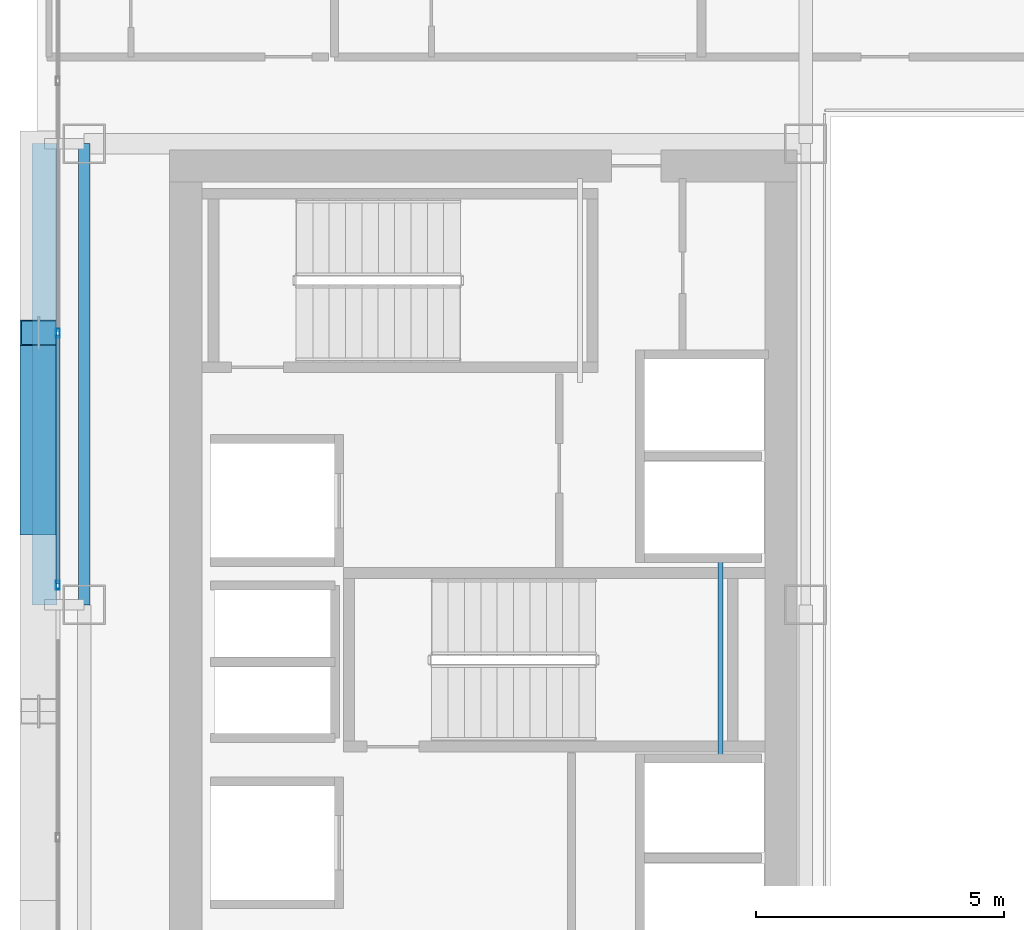
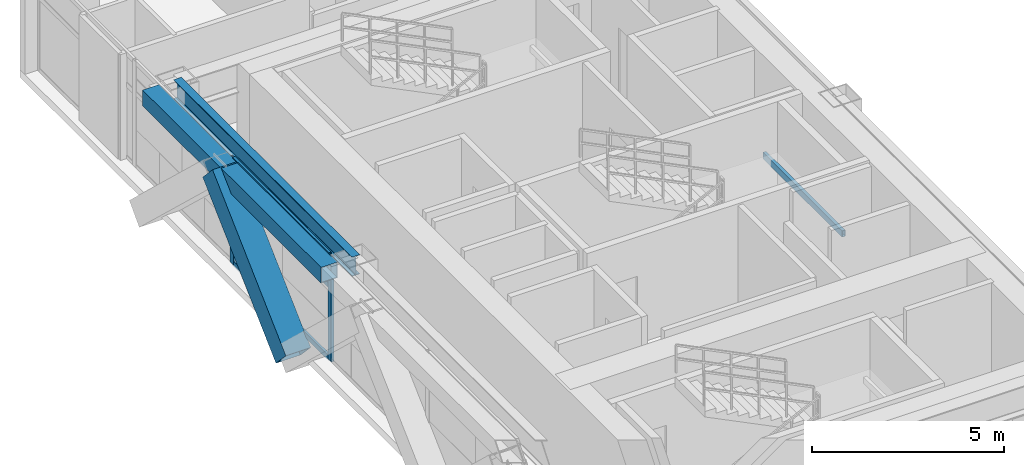
# One storey, part 8 of 34: 6 members, 3 beams, 1 element without a shape of its own.
"""IFC4 building model written with IfcOpenShell, lengths in metres."""

import ifcopenshell
import ifcopenshell.guid

model = None  # the IFC model being written
_history = None  # IfcOwnerHistory: only IFC2X3 demands one
_inside = {}  # id of a spatial element -> (the spatial element, [elements in it])
_under = {}  # id of a project, library or spatial element -> (it, [spatial elements below it])
_declared = {}  # id of a project -> (the project, [libraries it declares])
_typed = {}  # id of a type object -> (the type object, [elements of that type])
_made_of = {}  # id of a material, layer set ... -> (it, [elements and type objects made of it])


def new_model(schema):
    """Start an empty IFC model of exactly this schema.

    Asked for "IFC4X3", IfcOpenShell would pick the latest addendum, in which some entities
    have other attributes; the version numbers below select the first issue.
    IFC2X3 requires an IfcOwnerHistory on every rooted entity: one is made here for all.
    """
    global model, _history
    if schema == "IFC4X3":
        model = ifcopenshell.file(schema_version=(4, 3, 0, 0))
    else:
        model = ifcopenshell.file(schema=schema)
    _inside.clear()
    _under.clear()
    _declared.clear()
    _typed.clear()
    _made_of.clear()
    _history = None
    if model.schema == "IFC2X3":
        org = make("IfcOrganization", Name="unknown")
        user = make(
            "IfcPersonAndOrganization",
            ThePerson=make("IfcPerson", FamilyName="unknown"),
            TheOrganization=org,
        )
        app = make(
            "IfcApplication",
            ApplicationDeveloper=org,
            Version="unknown",
            ApplicationFullName="unknown",
            ApplicationIdentifier="unknown",
        )
        _history = make(
            "IfcOwnerHistory",
            OwningUser=user,
            OwningApplication=app,
            ChangeAction="ADDED",
            CreationDate=0,
        )
    return model


def make(cls, **values):
    """One entity of the class cls with the attributes given. An attribute that is None is left unset."""
    return model.create_entity(
        cls, **{name: value for name, value in values.items() if value is not None}
    )


def rooted(cls, **values):
    """An entity with a GlobalId (a new one), such as an element, a storey or a relation."""
    return make(cls, GlobalId=ifcopenshell.guid.new(), OwnerHistory=_history, **values)


def si_unit(unit_type, name, prefix=None):
    """IfcSIUnit, for example si_unit("LENGTHUNIT", "METRE", prefix="MILLI")."""
    return make("IfcSIUnit", UnitType=unit_type, Prefix=prefix, Name=name)


def assignment(units):
    """IfcUnitAssignment: the units of a project."""
    return None if units is None else make("IfcUnitAssignment", Units=units)


def point(xyz):
    """IfcCartesianPoint."""
    return None if xyz is None else make("IfcCartesianPoint", Coordinates=xyz)


def direction(xyz):
    """IfcDirection."""
    return None if xyz is None else make("IfcDirection", DirectionRatios=xyz)


def frame(location, z_axis=None, x_axis=None):
    """IfcAxis2Placement3D, a coordinate frame: its origin and axes. An axis left out is left unset."""
    return make(
        "IfcAxis2Placement3D",
        Location=point(location),
        Axis=direction(z_axis),
        RefDirection=direction(x_axis),
    )


def frame_2d(location, x_axis=None):
    """IfcAxis2Placement2D, a coordinate frame in the plane: its origin and x axis."""
    return make(
        "IfcAxis2Placement2D", Location=point(location), RefDirection=direction(x_axis)
    )


def origin():
    """The frame at (0, 0, 0) with its axes left unset."""
    return frame((0.0, 0.0, 0.0))


def origin_2d():
    """The frame at (0, 0) in the plane with its x axis left unset."""
    return frame_2d((0.0, 0.0))


def place(relative_to, where):
    """IfcLocalPlacement: puts the frame where relative to a parent placement (None: the world)."""
    return make(
        "IfcLocalPlacement", PlacementRelTo=relative_to, RelativePlacement=where
    )


def context(
    kind, dimensions, precision=None, world=None, true_north=None, identifier=None
):
    """IfcGeometricRepresentationContext, for example the 3D "Model" context."""
    return make(
        "IfcGeometricRepresentationContext",
        ContextIdentifier=identifier,
        ContextType=kind,
        CoordinateSpaceDimension=dimensions,
        Precision=precision,
        WorldCoordinateSystem=world,
        TrueNorth=true_north,
    )


def subcontext(parent, identifier, kind, view, scale=None):
    """IfcGeometricRepresentationSubContext, for example "Body" below "Model"."""
    return make(
        "IfcGeometricRepresentationSubContext",
        ContextIdentifier=identifier,
        ContextType=kind,
        ParentContext=parent,
        TargetScale=scale,
        TargetView=view,
    )


def project(units=None, contexts=None):
    """IfcProject with its units and contexts."""
    return rooted(
        "IfcProject",
        Name="project",
        RepresentationContexts=contexts,
        UnitsInContext=assignment(units),
    )


def spatial(cls, under=None, at=None, **own):
    """A site, building, storey or space (cls), placed at a placement, below another one or the project."""
    s = rooted(cls, ObjectPlacement=at, **own)
    if under is not None:
        _under.setdefault(under.id(), (under, []))[1].append(s)
    return s


def profile(cls, at=None, kind="AREA", **sizes):
    """A parametric profile (cls). Its sizes go by their IFC names, for example OverallWidth=200.0."""
    return make(cls, ProfileType=kind, Position=at, **sizes)


def hollow_rectangle(**sizes):
    """IfcRectangleHollowProfileDef."""
    return profile("IfcRectangleHollowProfileDef", **sizes)


def i_section(**sizes):
    """IfcIShapeProfileDef."""
    return profile("IfcIShapeProfileDef", **sizes)


def extrude(swept, where, along, depth):
    """IfcExtrudedAreaSolid: the profile swept, set in the frame where, extruded along a direction by depth."""
    return make(
        "IfcExtrudedAreaSolid",
        SweptArea=swept,
        Position=where,
        ExtrudedDirection=direction(along),
        Depth=depth,
    )


def shape(context_of_items, identifier, shape_type, items):
    """IfcShapeRepresentation: the items that make up one representation, for example the "Body"."""
    return make(
        "IfcShapeRepresentation",
        ContextOfItems=context_of_items,
        RepresentationIdentifier=identifier,
        RepresentationType=shape_type,
        Items=items,
    )


def source(mapping_origin, context_of_items, identifier, shape_type, items):
    """IfcRepresentationMap: a shape defined once, which mapped items show again and again."""
    return make(
        "IfcRepresentationMap",
        MappingOrigin=mapping_origin,
        MappedRepresentation=shape(context_of_items, identifier, shape_type, items),
    )


def transform(
    local_origin,
    x_axis=None,
    y_axis=None,
    z_axis=None,
    scale=None,
    scale2=None,
    scale3=None,
    uniform=True,
):
    """IfcCartesianTransformationOperator3D, or its non-uniform kind. x_axis, y_axis, z_axis: its Axis1, 2, 3."""
    if uniform:
        return make(
            "IfcCartesianTransformationOperator3D",
            Axis1=direction(x_axis),
            Axis2=direction(y_axis),
            LocalOrigin=point(local_origin),
            Scale=scale,
            Axis3=direction(z_axis),
        )
    return make(
        "IfcCartesianTransformationOperator3DnonUniform",
        Axis1=direction(x_axis),
        Axis2=direction(y_axis),
        LocalOrigin=point(local_origin),
        Scale=scale,
        Axis3=direction(z_axis),
        Scale2=scale2,
        Scale3=scale3,
    )


def mapped(mapping_source, mapping_target):
    """IfcMappedItem: shows the shape of a source again, moved by a transform."""
    return make(
        "IfcMappedItem", MappingSource=mapping_source, MappingTarget=mapping_target
    )


def material(Name=None, Category=None):
    """IfcMaterial."""
    return make("IfcMaterial", Name=Name, Category=Category)


def layer(
    of_material, thickness, ventilated=None, Name=None, Category=None, Priority=None
):
    """IfcMaterialLayer: one layer of a wall or slab, of a material (None: an air gap)."""
    return make(
        "IfcMaterialLayer",
        Material=of_material,
        LayerThickness=thickness,
        IsVentilated=ventilated,
        Name=Name,
        Category=Category,
        Priority=Priority,
    )


def layer_set(layers, Name=None):
    """IfcMaterialLayerSet."""
    return make("IfcMaterialLayerSet", MaterialLayers=layers, LayerSetName=Name)


def material_profile(
    of_material, cross_section, Name=None, Category=None, Priority=None
):
    """IfcMaterialProfile: a cross section and its material."""
    return make(
        "IfcMaterialProfile",
        Name=Name,
        Material=of_material,
        Profile=cross_section,
        Priority=Priority,
        Category=Category,
    )


def profile_set(profiles, Name=None, composite=None):
    """IfcMaterialProfileSet."""
    return make(
        "IfcMaterialProfileSet",
        Name=Name,
        MaterialProfiles=profiles,
        CompositeProfile=composite,
    )


def made_of(thing, what):
    """Note that an element or type object is made of a material, layer set ...; save() writes the relation."""
    if what is not None:
        _made_of.setdefault(what.id(), (what, []))[1].append(thing)
    return thing


def type_object(cls, material=None, **own):
    """A type object (cls), such as IfcWallType, which elements share."""
    return made_of(rooted(cls, **own), material)


def element(
    cls,
    number,
    at=None,
    inside=None,
    cuts=None,
    type_object=None,
    material=None,
    context=None,
    identifier="Body",
    shape_type=None,
    held_by="IfcProductDefinitionShape",
    body=None,
    shapes=None,
    **own,
):
    """One element of the class cls, such as IfcWall. Its Tag is "e" and its number.

    at: its placement. inside: the storey or other place that contains it. cuts: it is an
    opening in that element (IfcRelVoidsElement). A single representation is given by context,
    identifier, shape_type and body (its items); several are given by shapes. held_by: the class
    of the entity that holds the representations. save() writes the other relations.
    """
    e = rooted(cls, Tag="e%d" % number, ObjectPlacement=at, **own)
    if body is not None:
        shapes = [shape(context, identifier, shape_type, body)]
    if shapes is not None:
        e.Representation = make(held_by, Representations=shapes)
    if inside is not None:
        _inside.setdefault(inside.id(), (inside, []))[1].append(e)
    if cuts is not None:
        rooted(
            "IfcRelVoidsElement", RelatingBuildingElement=cuts, RelatedOpeningElement=e
        )
    if type_object is not None:
        _typed.setdefault(type_object.id(), (type_object, []))[1].append(e)
    return made_of(e, material)


def aggregate(whole, parts):
    """IfcRelAggregates: a whole, such as a stair, and the parts it consists of."""
    return rooted("IfcRelAggregates", RelatingObject=whole, RelatedObjects=parts)


def save(model, path):
    """Write the relations noted so far, then the file.

    IfcRelAggregates (storeys below a building ...), IfcRelContainedInSpatialStructure (elements
    in a storey), IfcRelDefinesByType, IfcRelAssociatesMaterial and IfcRelDeclares: one each for
    every whole, place, type object, material and project.
    """
    for whole, parts in _under.values():
        aggregate(whole, parts)
    for where, things in _inside.values():
        rooted(
            "IfcRelContainedInSpatialStructure",
            RelatedElements=things,
            RelatingStructure=where,
        )
    for kind, things in _typed.values():
        rooted("IfcRelDefinesByType", RelatedObjects=things, RelatingType=kind)
    for what, things in _made_of.values():
        rooted("IfcRelAssociatesMaterial", RelatedObjects=things, RelatingMaterial=what)
    for by, libraries in _declared.values():
        rooted("IfcRelDeclares", RelatingContext=by, RelatedDefinitions=libraries)
    model.write(path)


model = new_model("IFC4")

# Units and contexts
model_context = context("Model", 3, precision=1e-05, world=origin(), true_north=direction((0.0, 1.0)))
body_context = subcontext(model_context, "Body", "Model", "MODEL_VIEW")
ifc_project = project(units=[si_unit("LENGTHUNIT", "METRE"), si_unit("AREAUNIT", "SQUARE_METRE"), si_unit("VOLUMEUNIT", "CUBIC_METRE"), si_unit("PLANEANGLEUNIT", "RADIAN"), si_unit("MASSUNIT", "GRAM", prefix="KILO")], contexts=[model_context])

# Site, building, storey
site_placement = place(None, origin())
site = spatial("IfcSite", under=ifc_project, at=site_placement, CompositionType="ELEMENT")
building_placement = place(site_placement, origin())
building = spatial("IfcBuilding", under=site, at=building_placement, Name="Ocotamira Hotel", CompositionType="ELEMENT")
storey_placement = place(building_placement, frame((0.0, 0.0, 111.60009765625)))
storey = spatial("IfcBuildingStorey", under=building, at=storey_placement, Name="L27", CompositionType="ELEMENT", Elevation=111.60009765625)

# Beams
ifc_material_1 = material(Name="Steel ASTM A500 Grade C", Category="steel")
ifc_material_profile_1 = material_profile(ifc_material_1, hollow_rectangle(XDim=0.10009765625, YDim=0.199951171875, WallThickness=0.008056640625, at=origin_2d()), Name="HSS200X100X8")
ifc_profile_set_1 = profile_set([ifc_material_profile_1], Name="Steel ASTM A500 Grade C")
beam_type_1 = type_object("IfcBeamType", Name="BM-STLDG-HSS200", PredefinedType="BEAM", material=ifc_profile_set_1)
shared_shape_1 = source(origin(), body_context, "Body", "SweptSolid", [
    extrude(hollow_rectangle(XDim=0.10009765625, YDim=0.199951171875, WallThickness=0.008056640625, at=origin_2d()), origin(), (0.0, 0.0, 1.0), 4.1201171875),
])
beam_1_placement = place(storey_placement, frame((21.780029296875, 24.97998046875, 1.5), z_axis=(0.0, 1.0, 0.0), x_axis=(-1.0, 0.0, 0.0)))
element("IfcBeam", 1, at=beam_1_placement, inside=storey, type_object=beam_type_1, Name="L27 Stair ST-3 Landing Bearer 1", PredefinedType="BEAM", context=body_context, shape_type="MappedRepresentation", body=[
    mapped(shared_shape_1, transform((0.0, 0.0, 0.0), scale=1.0)),
])
ifc_material_2 = material(Name="Steel ASTM A992 Grade 50", Category="steel")
ifc_material_profile_2 = material_profile(ifc_material_2, i_section(OverallWidth=0.22998046875, OverallDepth=0.616943359375, WebThickness=0.01318359375, FlangeThickness=0.022216796875, FilletRadius=0.012939453125, at=origin_2d()), Name="W24X94")
ifc_profile_set_2 = profile_set([ifc_material_profile_2], Name="Steel ASTM A992 Grade 50")
beam_type_2 = type_object("IfcBeamType", Name="BM-PRIM-W24X94", PredefinedType="BEAM", material=ifc_profile_set_2)
shared_shape_2 = source(origin(), body_context, "Body", "SweptSolid", [
    extrude(i_section(OverallWidth=0.22998046875, OverallDepth=0.616943359375, WebThickness=0.01318359375, FlangeThickness=0.022216796875, FilletRadius=0.012939453125, at=origin_2d()), origin(), (0.0, 0.0, 1.0), 9.300048828125),
])
beam_2_placement = place(storey_placement, frame((8.949951171875, 28.14990234375, 3.051513671875), z_axis=(0.0, 1.0, 0.0), x_axis=(-1.0, 0.0, 0.0)))
element("IfcBeam", 2, at=beam_2_placement, inside=storey, type_object=beam_type_2, Name="L27 Beam X8.95 Y28.15-37.45", PredefinedType="BEAM", context=body_context, shape_type="MappedRepresentation", body=[
    mapped(shared_shape_2, transform((0.0, 0.0, 0.0), scale=1.0)),
])
ifc_material_profile_3 = material_profile(ifc_material_1, hollow_rectangle(XDim=0.5, YDim=0.5, WallThickness=0.02001953125, at=origin_2d()), Name="HSS500X500X20")
ifc_profile_set_3 = profile_set([ifc_material_profile_3], Name="Steel ASTM A500 Grade C")
beam_type_3 = type_object("IfcBeamType", Name="BM-SPAN-HSS500", PredefinedType="USERDEFINED", material=ifc_profile_set_3)
shared_shape_3 = source(origin(), body_context, "Body", "SweptSolid", [
    extrude(hollow_rectangle(XDim=0.5, YDim=0.5, WallThickness=0.02001953125, at=origin_2d()), origin(), (0.0, 0.0, 1.0), 9.300048828125),
])
beam_3_placement = place(storey_placement, frame((8.14990234375, 28.14990234375, 3.10986328125), z_axis=(0.0, 1.0, 0.0), x_axis=(-1.0, 0.0, 0.0)))
element("IfcBeam", 3, at=beam_3_placement, inside=storey, type_object=beam_type_3, Name="L27 Edge Spandrel W Y28.15-37.45", ObjectType="SPANDREL", PredefinedType="USERDEFINED", context=body_context, shape_type="MappedRepresentation", body=[
    mapped(shared_shape_3, transform((0.0, 0.0, 0.0), scale=1.0)),
])

# Member
ifc_material_3 = material(Name="Pale-metal coated steel ASTM A913 Grade 65", Category="steel")
ifc_material_profile_4 = material_profile(ifc_material_3, hollow_rectangle(XDim=0.75, YDim=0.75, WallThickness=0.028076171875, at=origin_2d()), Name="BOX750X750X28")
ifc_profile_set_4 = profile_set([ifc_material_profile_4], Name="Pale-metal coated steel ASTM A913 Grade 65")
member_type_1 = type_object("IfcMemberType", Name="MEM-EXO-BOX750", PredefinedType="BRACE", material=ifc_profile_set_4)
shared_shape_4 = source(origin(), body_context, "Body", "SweptSolid", [
    extrude(hollow_rectangle(XDim=0.75, YDim=0.75, WallThickness=0.028076171875, at=origin_2d()), origin(), (0.0, 0.0, 1.0), 5.24658203125),
])
member_1_placement = place(storey_placement, frame((8.030029296875, 29.816650390625, -0.489990234375), z_axis=(0.0, 0.72746596067, 0.686143772154), x_axis=(-1.0, 0.0, 0.0)))
element("IfcMember", 4, at=member_1_placement, inside=storey, type_object=member_type_1, Name="L27 Exoskeleton Diagrid W2.1", PredefinedType="BRACE", context=body_context, shape_type="MappedRepresentation", body=[
    mapped(shared_shape_4, transform((0.0, 0.0, 0.0), scale=1.0)),
])

# Curtain wall, members
ifc_material_4 = material(Name="Anodised pale-metal aluminium and solar glass", Category="aluminium")
ifc_layer = layer(ifc_material_4, 0.179931640625)
ifc_layer_set = layer_set([ifc_layer], Name="Anodised pale-metal aluminium and solar glass")
curtain_wall_type = type_object("IfcCurtainWallType", Name="CW-SYS3-Z2", PredefinedType="NOTDEFINED", material=ifc_layer_set)
curtain_wall_placement = place(storey_placement, origin())
curtain_wall = element("IfcCurtainWall", 5, at=curtain_wall_placement, inside=storey, type_object=curtain_wall_type, Name="L27 Curtain Wall CW-3 CW-L27-W", PredefinedType="NOTDEFINED")
ifc_material_5 = material(Name="Anodised pale-metal aluminium 6063-T6", Category="aluminium")
ifc_material_profile_5 = material_profile(ifc_material_5, hollow_rectangle(XDim=0.074951171875, YDim=0.14990234375, WallThickness=0.006103515625, at=origin_2d()), Name="HSS150X75X6")
ifc_profile_set_5 = profile_set([ifc_material_profile_5], Name="Anodised pale-metal aluminium 6063-T6")
member_type_2 = type_object("IfcMemberType", Name="CWT-150X75", PredefinedType="USERDEFINED", material=ifc_profile_set_5)
shared_shape_5 = source(origin(), body_context, "Body", "SweptSolid", [
    extrude(hollow_rectangle(XDim=0.074951171875, YDim=0.14990234375, WallThickness=0.006103515625, at=origin_2d()), origin(), (0.0, 0.0, 1.0), 5.005859375),
])
member_2_placement = place(storey_placement, frame((8.419921875, 28.582763671875, 0.037353515625), z_axis=(0.0, 1.0, 0.0), x_axis=(-1.0, 0.0, 0.0)))
member_2 = element("IfcMember", 6, at=member_2_placement, type_object=member_type_2, Name="CW-3 transom 5.1", ObjectType="TRANSOM", PredefinedType="USERDEFINED", context=body_context, shape_type="MappedRepresentation", body=[
    mapped(shared_shape_5, transform((0.0, 0.0, 0.0), scale=1.0)),
])
member_3_placement = place(storey_placement, frame((8.419921875, 28.582763671875, 2.349853515625), z_axis=(0.0, 1.0, 0.0), x_axis=(-1.0, 0.0, 0.0)))
member_3 = element("IfcMember", 7, at=member_3_placement, type_object=member_type_2, Name="CW-3 transom 5.2", ObjectType="TRANSOM", PredefinedType="USERDEFINED", context=body_context, shape_type="MappedRepresentation", body=[
    mapped(shared_shape_5, transform((0.0, 0.0, 0.0), scale=1.0)),
])
member_4_placement = place(storey_placement, frame((8.419921875, 28.582763671875, 3.322509765625), z_axis=(0.0, 1.0, 0.0), x_axis=(-1.0, 0.0, 0.0)))
member_4 = element("IfcMember", 8, at=member_4_placement, type_object=member_type_2, Name="CW-3 transom 5.3", ObjectType="TRANSOM", PredefinedType="USERDEFINED", context=body_context, shape_type="MappedRepresentation", body=[
    mapped(shared_shape_5, transform((0.0, 0.0, 0.0), scale=1.0)),
])
ifc_material_profile_6 = material_profile(ifc_material_5, hollow_rectangle(XDim=0.080078125, YDim=0.179931640625, WallThickness=0.006103515625, at=origin_2d()), Name="HSS180X80X6")
ifc_profile_set_6 = profile_set([ifc_material_profile_6], Name="Anodised pale-metal aluminium 6063-T6")
member_type_3 = type_object("IfcMemberType", Name="CWM-180X75", PredefinedType="MULLION", material=ifc_profile_set_6)
shared_shape_6 = source(origin(), body_context, "Body", "SweptSolid", [
    extrude(hollow_rectangle(XDim=0.080078125, YDim=0.179931640625, WallThickness=0.006103515625, at=origin_2d()), origin(), (0.0, 0.0, 1.0), 3.35986328125),
])
member_5_placement = place(storey_placement, frame((8.419921875, 28.54296875, 0.0), z_axis=(0.0, 0.0, 1.0), x_axis=(-1.0, 0.0, 0.0)))
member_5 = element("IfcMember", 9, at=member_5_placement, type_object=member_type_3, Name="CW-3 mullion 5", PredefinedType="MULLION", context=body_context, shape_type="MappedRepresentation", body=[
    mapped(shared_shape_6, transform((0.0, 0.0, 0.0), scale=1.0)),
])
member_6_placement = place(storey_placement, frame((8.419921875, 33.628662109375, 0.0), z_axis=(0.0, 0.0, 1.0), x_axis=(-1.0, 0.0, 0.0)))
member_6 = element("IfcMember", 10, at=member_6_placement, type_object=member_type_3, Name="CW-3 mullion 6", PredefinedType="MULLION", context=body_context, shape_type="MappedRepresentation", body=[
    mapped(shared_shape_6, transform((0.0, 0.0, 0.0), scale=1.0)),
])
aggregate(curtain_wall, [member_5, member_6, member_2, member_3, member_4])

save(model, "model.ifc")
